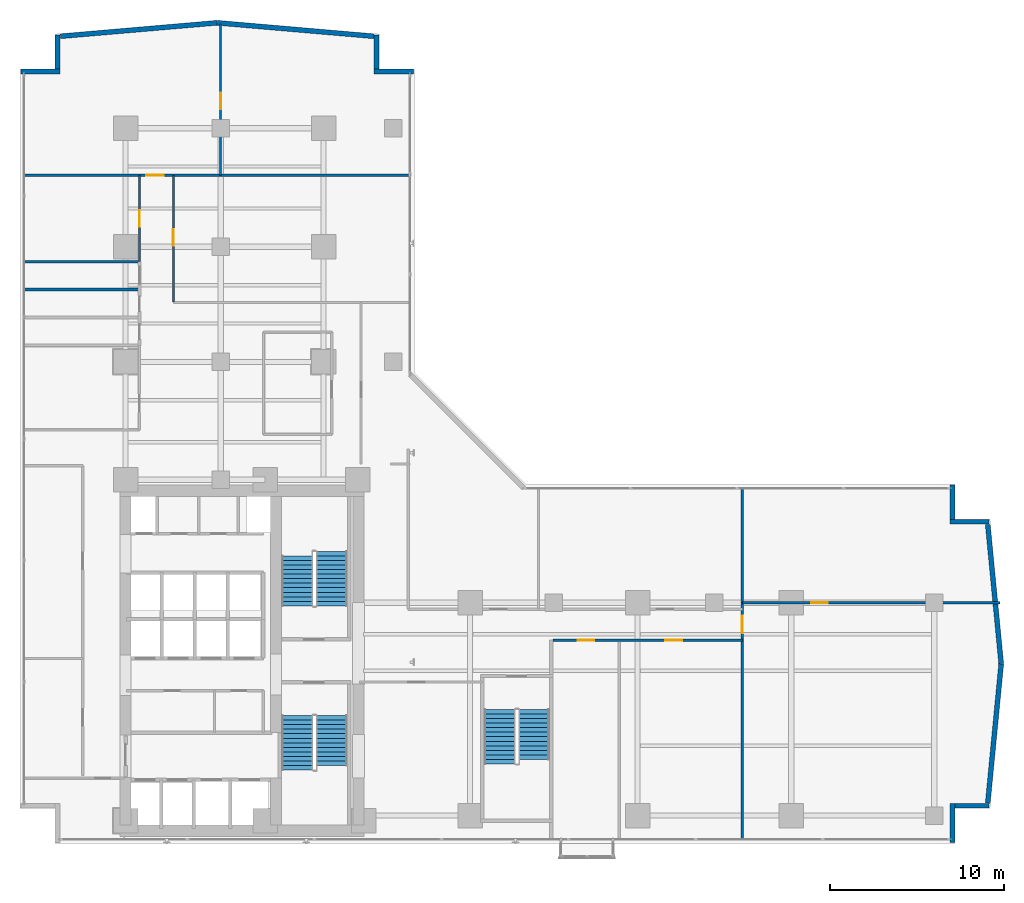
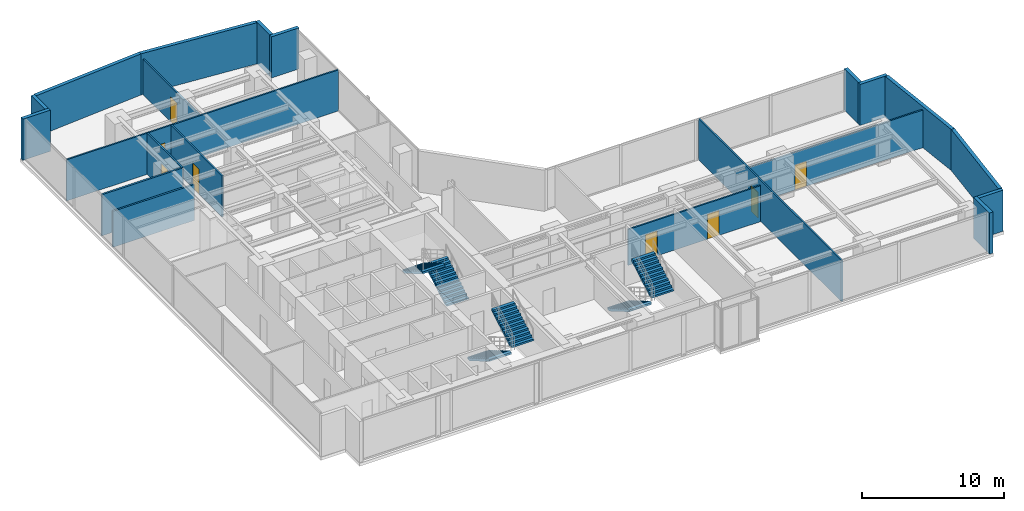
# One storey, part 23 of 29: 21 walls, 8 doors, 6 stair flights, 8 openings, 3 elements without a shape of their own.
"""IFC4 building model written with IfcOpenShell, lengths in metres."""

import ifcopenshell
import ifcopenshell.guid

model = None  # the IFC model being written
_history = None  # IfcOwnerHistory: only IFC2X3 demands one
_inside = {}  # id of a spatial element -> (the spatial element, [elements in it])
_under = {}  # id of a project, library or spatial element -> (it, [spatial elements below it])
_declared = {}  # id of a project -> (the project, [libraries it declares])
_typed = {}  # id of a type object -> (the type object, [elements of that type])
_made_of = {}  # id of a material, layer set ... -> (it, [elements and type objects made of it])


def new_model(schema):
    """Start an empty IFC model of exactly this schema.

    Asked for "IFC4X3", IfcOpenShell would pick the latest addendum, in which some entities
    have other attributes; the version numbers below select the first issue.
    IFC2X3 requires an IfcOwnerHistory on every rooted entity: one is made here for all.
    """
    global model, _history
    if schema == "IFC4X3":
        model = ifcopenshell.file(schema_version=(4, 3, 0, 0))
    else:
        model = ifcopenshell.file(schema=schema)
    _inside.clear()
    _under.clear()
    _declared.clear()
    _typed.clear()
    _made_of.clear()
    _history = None
    if model.schema == "IFC2X3":
        org = make("IfcOrganization", Name="unknown")
        user = make(
            "IfcPersonAndOrganization",
            ThePerson=make("IfcPerson", FamilyName="unknown"),
            TheOrganization=org,
        )
        app = make(
            "IfcApplication",
            ApplicationDeveloper=org,
            Version="unknown",
            ApplicationFullName="unknown",
            ApplicationIdentifier="unknown",
        )
        _history = make(
            "IfcOwnerHistory",
            OwningUser=user,
            OwningApplication=app,
            ChangeAction="ADDED",
            CreationDate=0,
        )
    return model


def make(cls, **values):
    """One entity of the class cls with the attributes given. An attribute that is None is left unset."""
    return model.create_entity(
        cls, **{name: value for name, value in values.items() if value is not None}
    )


def rooted(cls, **values):
    """An entity with a GlobalId (a new one), such as an element, a storey or a relation."""
    return make(cls, GlobalId=ifcopenshell.guid.new(), OwnerHistory=_history, **values)


def si_unit(unit_type, name, prefix=None):
    """IfcSIUnit, for example si_unit("LENGTHUNIT", "METRE", prefix="MILLI")."""
    return make("IfcSIUnit", UnitType=unit_type, Prefix=prefix, Name=name)


def assignment(units):
    """IfcUnitAssignment: the units of a project."""
    return None if units is None else make("IfcUnitAssignment", Units=units)


def point(xyz):
    """IfcCartesianPoint."""
    return None if xyz is None else make("IfcCartesianPoint", Coordinates=xyz)


def direction(xyz):
    """IfcDirection."""
    return None if xyz is None else make("IfcDirection", DirectionRatios=xyz)


def frame(location, z_axis=None, x_axis=None):
    """IfcAxis2Placement3D, a coordinate frame: its origin and axes. An axis left out is left unset."""
    return make(
        "IfcAxis2Placement3D",
        Location=point(location),
        Axis=direction(z_axis),
        RefDirection=direction(x_axis),
    )


def frame_2d(location, x_axis=None):
    """IfcAxis2Placement2D, a coordinate frame in the plane: its origin and x axis."""
    return make(
        "IfcAxis2Placement2D", Location=point(location), RefDirection=direction(x_axis)
    )


def origin():
    """The frame at (0, 0, 0) with its axes left unset."""
    return frame((0.0, 0.0, 0.0))


def place(relative_to, where):
    """IfcLocalPlacement: puts the frame where relative to a parent placement (None: the world)."""
    return make(
        "IfcLocalPlacement", PlacementRelTo=relative_to, RelativePlacement=where
    )


def context(
    kind, dimensions, precision=None, world=None, true_north=None, identifier=None
):
    """IfcGeometricRepresentationContext, for example the 3D "Model" context."""
    return make(
        "IfcGeometricRepresentationContext",
        ContextIdentifier=identifier,
        ContextType=kind,
        CoordinateSpaceDimension=dimensions,
        Precision=precision,
        WorldCoordinateSystem=world,
        TrueNorth=true_north,
    )


def subcontext(parent, identifier, kind, view, scale=None):
    """IfcGeometricRepresentationSubContext, for example "Body" below "Model"."""
    return make(
        "IfcGeometricRepresentationSubContext",
        ContextIdentifier=identifier,
        ContextType=kind,
        ParentContext=parent,
        TargetScale=scale,
        TargetView=view,
    )


def project(units=None, contexts=None):
    """IfcProject with its units and contexts."""
    return rooted(
        "IfcProject",
        Name="project",
        RepresentationContexts=contexts,
        UnitsInContext=assignment(units),
    )


def spatial(cls, under=None, at=None, **own):
    """A site, building, storey or space (cls), placed at a placement, below another one or the project."""
    s = rooted(cls, ObjectPlacement=at, **own)
    if under is not None:
        _under.setdefault(under.id(), (under, []))[1].append(s)
    return s


def polyline(points):
    """IfcPolyline through the points."""
    return make("IfcPolyline", Points=[point(p) for p in points])


def profile(cls, at=None, kind="AREA", **sizes):
    """A parametric profile (cls). Its sizes go by their IFC names, for example OverallWidth=200.0."""
    return make(cls, ProfileType=kind, Position=at, **sizes)


def rectangle(**sizes):
    """IfcRectangleProfileDef."""
    return profile("IfcRectangleProfileDef", **sizes)


def outline(outer, holes=None, kind="AREA"):
    """IfcArbitraryClosedProfileDef: a profile drawn as a closed curve; with holes, ...WithVoids."""
    if holes is None:
        return make("IfcArbitraryClosedProfileDef", ProfileType=kind, OuterCurve=outer)
    return make(
        "IfcArbitraryProfileDefWithVoids",
        ProfileType=kind,
        OuterCurve=outer,
        InnerCurves=holes,
    )


def extrude(swept, where, along, depth):
    """IfcExtrudedAreaSolid: the profile swept, set in the frame where, extruded along a direction by depth."""
    return make(
        "IfcExtrudedAreaSolid",
        SweptArea=swept,
        Position=where,
        ExtrudedDirection=direction(along),
        Depth=depth,
    )


def shape(context_of_items, identifier, shape_type, items):
    """IfcShapeRepresentation: the items that make up one representation, for example the "Body"."""
    return make(
        "IfcShapeRepresentation",
        ContextOfItems=context_of_items,
        RepresentationIdentifier=identifier,
        RepresentationType=shape_type,
        Items=items,
    )


def material(Name=None, Category=None):
    """IfcMaterial."""
    return make("IfcMaterial", Name=Name, Category=Category)


def layer(
    of_material, thickness, ventilated=None, Name=None, Category=None, Priority=None
):
    """IfcMaterialLayer: one layer of a wall or slab, of a material (None: an air gap)."""
    return make(
        "IfcMaterialLayer",
        Material=of_material,
        LayerThickness=thickness,
        IsVentilated=ventilated,
        Name=Name,
        Category=Category,
        Priority=Priority,
    )


def layer_set(layers, Name=None):
    """IfcMaterialLayerSet."""
    return make("IfcMaterialLayerSet", MaterialLayers=layers, LayerSetName=Name)


def made_of(thing, what):
    """Note that an element or type object is made of a material, layer set ...; save() writes the relation."""
    if what is not None:
        _made_of.setdefault(what.id(), (what, []))[1].append(thing)
    return thing


def type_object(cls, material=None, **own):
    """A type object (cls), such as IfcWallType, which elements share."""
    return made_of(rooted(cls, **own), material)


def element(
    cls,
    number,
    at=None,
    inside=None,
    cuts=None,
    type_object=None,
    material=None,
    context=None,
    identifier="Body",
    shape_type=None,
    held_by="IfcProductDefinitionShape",
    body=None,
    shapes=None,
    **own,
):
    """One element of the class cls, such as IfcWall. Its Tag is "e" and its number.

    at: its placement. inside: the storey or other place that contains it. cuts: it is an
    opening in that element (IfcRelVoidsElement). A single representation is given by context,
    identifier, shape_type and body (its items); several are given by shapes. held_by: the class
    of the entity that holds the representations. save() writes the other relations.
    """
    e = rooted(cls, Tag="e%d" % number, ObjectPlacement=at, **own)
    if body is not None:
        shapes = [shape(context, identifier, shape_type, body)]
    if shapes is not None:
        e.Representation = make(held_by, Representations=shapes)
    if inside is not None:
        _inside.setdefault(inside.id(), (inside, []))[1].append(e)
    if cuts is not None:
        rooted(
            "IfcRelVoidsElement", RelatingBuildingElement=cuts, RelatedOpeningElement=e
        )
    if type_object is not None:
        _typed.setdefault(type_object.id(), (type_object, []))[1].append(e)
    return made_of(e, material)


def fill(opening, filler):
    """IfcRelFillsElement: the door or window that sits in an opening."""
    return rooted(
        "IfcRelFillsElement",
        RelatingOpeningElement=opening,
        RelatedBuildingElement=filler,
    )


def aggregate(whole, parts):
    """IfcRelAggregates: a whole, such as a stair, and the parts it consists of."""
    return rooted("IfcRelAggregates", RelatingObject=whole, RelatedObjects=parts)


def save(model, path):
    """Write the relations noted so far, then the file.

    IfcRelAggregates (storeys below a building ...), IfcRelContainedInSpatialStructure (elements
    in a storey), IfcRelDefinesByType, IfcRelAssociatesMaterial and IfcRelDeclares: one each for
    every whole, place, type object, material and project.
    """
    for whole, parts in _under.values():
        aggregate(whole, parts)
    for where, things in _inside.values():
        rooted(
            "IfcRelContainedInSpatialStructure",
            RelatedElements=things,
            RelatingStructure=where,
        )
    for kind, things in _typed.values():
        rooted("IfcRelDefinesByType", RelatedObjects=things, RelatingType=kind)
    for what, things in _made_of.values():
        rooted("IfcRelAssociatesMaterial", RelatedObjects=things, RelatingMaterial=what)
    for by, libraries in _declared.values():
        rooted("IfcRelDeclares", RelatingContext=by, RelatedDefinitions=libraries)
    model.write(path)


model = new_model("IFC4")

# Units and contexts
model_context = context("Model", 3, precision=1e-05, world=origin(), true_north=direction((0.0, 1.0)))
body_context = subcontext(model_context, "Body", "Model", "MODEL_VIEW")
ifc_project = project(units=[si_unit("LENGTHUNIT", "METRE"), si_unit("AREAUNIT", "SQUARE_METRE"), si_unit("VOLUMEUNIT", "CUBIC_METRE"), si_unit("PLANEANGLEUNIT", "RADIAN"), si_unit("MASSUNIT", "GRAM", prefix="KILO")], contexts=[model_context])

# Site, building, storey
site_placement = place(None, origin())
site = spatial("IfcSite", under=ifc_project, at=site_placement, CompositionType="ELEMENT")
building_placement = place(site_placement, origin())
building = spatial("IfcBuilding", under=site, at=building_placement, Name="Kolvaren Waterfront Exchange", CompositionType="ELEMENT")
storey_placement = place(building_placement, frame((0.0, 0.0, 129.699951171875)))
storey = spatial("IfcBuildingStorey", under=building, at=storey_placement, Name="L33", CompositionType="ELEMENT", Elevation=129.699951171875)

# Walls
ifc_material_1 = material(Name="Precast concrete C40/50", Category="concrete")
ifc_layer_1 = layer(ifc_material_1, 0.280029296875, Name="Precast concrete C40/50")
ifc_layer_set_1 = layer_set([ifc_layer_1], Name="Precast concrete C40/50")
wall_type_1 = type_object("IfcWallType", Name="ARC-EXT-TERR-280", PredefinedType="SOLIDWALL", material=ifc_layer_set_1)
wall_1_placement = place(storey_placement, frame((54.840087890625, 3.659912109375, 0.0), z_axis=(0.0, 0.0, 1.0), x_axis=(0.0, 1.0, 0.0)))
element("IfcWall", 1, at=wall_1_placement, inside=storey, type_object=wall_type_1, Name="L33 notched corner spandrel pier SE-A", PredefinedType="SOLIDWALL", context=body_context, shape_type="SweptSolid", body=[
    extrude(rectangle(XDim=2.239990234375, YDim=0.280029296875, at=frame_2d((1.1201171875, 0.0))), origin(), (0.0, 0.0, 1.0), 3.5400390625),
])
wall_2_placement = place(storey_placement, frame((54.97998046875, 5.760009765625, 0.0), z_axis=(0.0, 0.0, 1.0), x_axis=(1.0, 0.0, 0.0)))
element("IfcWall", 2, at=wall_2_placement, inside=storey, type_object=wall_type_1, Name="L33 notched corner spandrel pier SE-B", PredefinedType="SOLIDWALL", context=body_context, shape_type="SweptSolid", body=[
    extrude(rectangle(XDim=1.9599609375, YDim=0.280029296875, at=frame_2d((0.97998046875, 0.0))), origin(), (0.0, 0.0, 1.0), 3.5400390625),
])
wall_3_placement = place(storey_placement, frame((54.840087890625, 22.1650390625, 0.0), z_axis=(0.0, 0.0, 1.0), x_axis=(0.0, 1.0, 0.0)))
element("IfcWall", 3, at=wall_3_placement, inside=storey, type_object=wall_type_1, Name="L33 notched corner spandrel pier ENE-A", PredefinedType="SOLIDWALL", context=body_context, shape_type="SweptSolid", body=[
    extrude(rectangle(XDim=1.974853515625, YDim=0.280029296875, at=frame_2d((0.9873046875, 0.0))), origin(), (0.0, 0.0, 1.0), 3.5400390625),
])
for number, where, z_axis, x_axis, name in (
    (4, (54.699951171875, 22.0400390625, 0.0), (0.0, 0.0, 1.0), (1.0, 0.0, 0.0), "L33 notched corner spandrel pier ENE-B"),
    (5, (21.699951171875, 47.840087890625, 0.0), (0.0, 0.0, 1.0), (1.0, 0.0, 0.0), "L33 notched corner spandrel pier NNE-A"),
):
    element("IfcWall", number, at=place(storey_placement, frame(where, z_axis=z_axis, x_axis=x_axis)), inside=storey, type_object=wall_type_1, Name=name, PredefinedType="SOLIDWALL", context=body_context, shape_type="SweptSolid", body=[
        extrude(rectangle(XDim=2.239990234375, YDim=0.280029296875, at=frame_2d((1.1201171875, 0.0))), origin(), (0.0, 0.0, 1.0), 3.5400390625),
    ])
wall_4_placement = place(storey_placement, frame((21.840087890625, 47.97998046875, 0.0), z_axis=(0.0, 0.0, 1.0), x_axis=(0.0, 1.0, 0.0)))
element("IfcWall", 6, at=wall_4_placement, inside=storey, type_object=wall_type_1, Name="L33 notched corner spandrel pier NNE-B", PredefinedType="SOLIDWALL", context=body_context, shape_type="SweptSolid", body=[
    extrude(rectangle(XDim=1.9599609375, YDim=0.280029296875, at=frame_2d((0.97998046875, 0.0))), origin(), (0.0, 0.0, 1.0), 3.5400390625),
])
wall_5_placement = place(storey_placement, frame((1.4599609375, 47.840087890625, 0.0), z_axis=(0.0, 0.0, 1.0), x_axis=(1.0, 0.0, 0.0)))
element("IfcWall", 7, at=wall_5_placement, inside=storey, type_object=wall_type_1, Name="L33 notched corner spandrel pier NW-A", PredefinedType="SOLIDWALL", context=body_context, shape_type="SweptSolid", body=[
    extrude(rectangle(XDim=2.239990234375, YDim=0.280029296875, at=frame_2d((1.1201171875, 0.0))), origin(), (0.0, 0.0, 1.0), 3.5400390625),
])
wall_6_placement = place(storey_placement, frame((3.56005859375, 47.97998046875, 0.0), z_axis=(0.0, 0.0, 1.0), x_axis=(0.0, 1.0, 0.0)))
element("IfcWall", 8, at=wall_6_placement, inside=storey, type_object=wall_type_1, Name="L33 notched corner spandrel pier NW-B", PredefinedType="SOLIDWALL", context=body_context, shape_type="SweptSolid", body=[
    extrude(rectangle(XDim=1.9599609375, YDim=0.280029296875, at=frame_2d((0.97998046875, 0.0))), origin(), (0.0, 0.0, 1.0), 3.5400390625),
])
for number, where, z_axis, x_axis, name in (
    (9, (56.869384765625, 5.9140625, 0.0), (0.0, 0.0, 1.0), (0.095969995245, 0.995384227328, 0.0), "L33 east prow faceted facade wall 1"),
    (10, (57.638916015625, 13.904541015625, 0.0), (0.0, 0.0, 1.0), (-0.095969995245, 0.995384227328, 0.0), "L33 east prow faceted facade wall 2"),
):
    element("IfcWall", number, at=place(storey_placement, frame(where, z_axis=z_axis, x_axis=x_axis)), inside=storey, type_object=wall_type_1, Name=name, PredefinedType="SOLIDWALL", context=body_context, shape_type="SweptSolid", body=[
        extrude(rectangle(XDim=8.0185546875, YDim=0.280029296875, at=frame_2d((4.00927734375, 0.0))), origin(), (0.0, 0.0, 1.0), 3.5400390625),
    ])
for number, where, z_axis, x_axis, name in (
    (11, (21.6875, 49.8662109375, 0.0), (0.0, 0.0, 1.0), (-0.996319339243, 0.085719159179, 0.0), "L33 north prow faceted facade wall 1"),
    (12, (12.69384765625, 50.638916015625, 0.0), (0.0, 0.0, 1.0), (-0.996319339243, -0.085719159179, 0.0), "L33 north prow faceted facade wall 2"),
):
    element("IfcWall", number, at=place(storey_placement, frame(where, z_axis=z_axis, x_axis=x_axis)), inside=storey, type_object=wall_type_1, Name=name, PredefinedType="SOLIDWALL", context=body_context, shape_type="SweptSolid", body=[
        extrude(rectangle(XDim=9.014404296875, YDim=0.280029296875, at=frame_2d((4.50732421875, 0.0))), origin(), (0.0, 0.0, 1.0), 3.5400390625),
    ])

# Wall, openings, doors
ifc_material_2 = material(Name="Acoustic gypsum steel stud", Category="steel")
ifc_layer_2 = layer(ifc_material_2, 0.125, Name="Acoustic gypsum steel stud")
ifc_layer_set_2 = layer_set([ifc_layer_2], Name="Acoustic gypsum steel stud")
wall_type_2 = type_object("IfcWallType", Name="ARC-PART-125", PredefinedType="PARTITIONING", material=ifc_layer_set_2)
wall_7_placement = place(storey_placement, frame((31.949951171875, 15.25, 0.0), z_axis=(0.0, 0.0, 1.0), x_axis=(1.0, 0.0, 0.0)))
wall_7 = element("IfcWall", 13, at=wall_7_placement, inside=storey, type_object=wall_type_2, Name="L33 interior wall PW-L33-ES-CORR", PredefinedType="PARTITIONING", context=body_context, shape_type="SweptSolid", body=[
    extrude(rectangle(XDim=10.85009765625, YDim=0.125, at=frame_2d((5.425048828125, 0.0))), origin(), (0.0, 0.0, 1.0), 3.090087890625),
])
opening_1_placement = place(wall_7_placement, frame((1.425048828125, 0.0, 0.0)))
opening_1 = element("IfcOpeningElement", 14, at=opening_1_placement, cuts=wall_7, Name="Opening D02", PredefinedType="OPENING", context=body_context, shape_type="SweptSolid", body=[
    extrude(rectangle(XDim=0.949951171875, YDim=2.14990234375, at=frame_2d((0.47509765625, 1.074951171875))), frame((0.0, 0.072509765625, 0.0), z_axis=(0.0, -1.0, 0.0), x_axis=(1.0, 0.0, 0.0)), (0.0, 0.0, 1.0), 0.14501953125),
])
opening_2_placement = place(wall_7_placement, frame((6.4453125, 0.0, 0.0)))
opening_2 = element("IfcOpeningElement", 15, at=opening_2_placement, cuts=wall_7, Name="Opening D02", PredefinedType="OPENING", context=body_context, shape_type="SweptSolid", body=[
    extrude(rectangle(XDim=0.949951171875, YDim=2.14990234375, at=frame_2d((0.47509765625, 1.074951171875))), frame((0.0, 0.072509765625, 0.0), z_axis=(0.0, -1.0, 0.0), x_axis=(1.0, 0.0, 0.0)), (0.0, 0.0, 1.0), 0.14501953125),
])
ifc_material_3 = material(Name="Oak veneer acoustic timber", Category="wood")
door_type_1 = type_object("IfcDoorType", Name="ARC-DR-950", OperationType="NOTDEFINED", PredefinedType="DOOR", material=ifc_material_3)
door_1_placement = place(opening_1_placement, origin())
door_1 = element("IfcDoor", 16, at=door_1_placement, inside=storey, type_object=door_type_1, Name="L33 door DR-L33-ES-D-1 (D02)", OperationType="SINGLE_SWING_RIGHT", OverallHeight=2.14990234375, OverallWidth=0.949951171875, PredefinedType="DOOR", context=body_context, shape_type="SweptSolid", body=[
    extrude(rectangle(XDim=0.949951171875, YDim=2.14990234375, at=frame_2d((0.47509765625, 1.074951171875))), frame((0.0, 0.02490234375, 0.0), z_axis=(0.0, -1.0, 0.0), x_axis=(1.0, 0.0, 0.0)), (0.0, 0.0, 1.0), 0.050048828125),
])
fill(opening_1, door_1)
door_2_placement = place(opening_2_placement, origin())
door_2 = element("IfcDoor", 17, at=door_2_placement, inside=storey, type_object=door_type_1, Name="L33 door DR-L33-ES-D-2 (D02)", OperationType="SINGLE_SWING_LEFT", OverallHeight=2.14990234375, OverallWidth=0.949951171875, PredefinedType="DOOR", context=body_context, shape_type="SweptSolid", body=[
    extrude(rectangle(XDim=0.949951171875, YDim=2.14990234375, at=frame_2d((0.47509765625, 1.074951171875))), frame((0.0, 0.02490234375, 0.0), z_axis=(0.0, -1.0, 0.0), x_axis=(1.0, 0.0, 0.0)), (0.0, 0.0, 1.0), 0.050048828125),
])
fill(opening_2, door_2)

# Wall, opening, door
wall_8_placement = place(storey_placement, frame((42.800048828125, 3.840087890625, 0.0), z_axis=(0.0, 0.0, 1.0), x_axis=(0.0, 1.0, 0.0)))
wall_8 = element("IfcWall", 18, at=wall_8_placement, inside=storey, type_object=wall_type_2, Name="L33 interior wall PW-L33-ETIP-W", PredefinedType="PARTITIONING", context=body_context, shape_type="SweptSolid", body=[
    extrude(rectangle(XDim=20.119873046875, YDim=0.125, at=frame_2d((10.06005859375, 0.0))), origin(), (0.0, 0.0, 1.0), 3.5400390625),
])
opening_3_placement = place(wall_8_placement, frame((11.800048828125, 0.0, 0.0)))
opening_3 = element("IfcOpeningElement", 19, at=opening_3_placement, cuts=wall_8, Name="Opening D03", PredefinedType="OPENING", context=body_context, shape_type="SweptSolid", body=[
    extrude(rectangle(XDim=1.0, YDim=2.199951171875, at=frame_2d((0.5, 1.10009765625))), frame((0.0, 0.072509765625, 0.0), z_axis=(0.0, -1.0, 0.0), x_axis=(1.0, 0.0, 0.0)), (0.0, 0.0, 1.0), 0.14501953125),
])
ifc_material_4 = material(Name="Oak veneer accessible timber", Category="wood")
door_type_2 = type_object("IfcDoorType", Name="ARC-DR-1000", OperationType="NOTDEFINED", PredefinedType="DOOR", material=ifc_material_4)
door_3_placement = place(opening_3_placement, origin())
door_3 = element("IfcDoor", 20, at=door_3_placement, inside=storey, type_object=door_type_2, Name="L33 door DR-L33-ETIP1-D (D03)", OperationType="SINGLE_SWING_RIGHT", OverallHeight=2.199951171875, OverallWidth=1.0, PredefinedType="DOOR", context=body_context, shape_type="SweptSolid", body=[
    extrude(rectangle(XDim=1.0, YDim=2.199951171875, at=frame_2d((0.5, 1.10009765625))), frame((0.0, 0.02490234375, 0.0), z_axis=(0.0, -1.0, 0.0), x_axis=(1.0, 0.0, 0.0)), (0.0, 0.0, 1.0), 0.050048828125),
])
fill(opening_3, door_3)

wall_9_placement = place(storey_placement, frame((42.800048828125, 17.39990234375, 0.0), z_axis=(0.0, 0.0, 1.0), x_axis=(1.0, 0.0, 0.0)))
wall_9 = element("IfcWall", 21, at=wall_9_placement, inside=storey, type_object=wall_type_2, Name="L33 interior wall PW-L33-ETIP-MID", PredefinedType="PARTITIONING", context=body_context, shape_type="SweptSolid", body=[
    extrude(rectangle(XDim=14.760009765625, YDim=0.125, at=frame_2d((7.3798828125, 0.0))), origin(), (0.0, 0.0, 1.0), 3.239990234375),
])
opening_4_placement = place(wall_9_placement, frame((3.956298828125, 0.0, 0.0)))
opening_4 = element("IfcOpeningElement", 22, at=opening_4_placement, cuts=wall_9, Name="Opening D02", PredefinedType="OPENING", context=body_context, shape_type="SweptSolid", body=[
    extrude(rectangle(XDim=0.949951171875, YDim=2.14990234375, at=frame_2d((0.47509765625, 1.074951171875))), frame((0.0, 0.072509765625, 0.0), z_axis=(0.0, -1.0, 0.0), x_axis=(1.0, 0.0, 0.0)), (0.0, 0.0, 1.0), 0.14501953125),
])
door_4_placement = place(opening_4_placement, origin())
door_4 = element("IfcDoor", 23, at=door_4_placement, inside=storey, type_object=door_type_1, Name="L33 door DR-L33-ETIP2-D (D02)", OperationType="SINGLE_SWING_LEFT", OverallHeight=2.14990234375, OverallWidth=0.949951171875, PredefinedType="DOOR", context=body_context, shape_type="SweptSolid", body=[
    extrude(rectangle(XDim=0.949951171875, YDim=2.14990234375, at=frame_2d((0.47509765625, 1.074951171875))), frame((0.0, 0.02490234375, 0.0), z_axis=(0.0, -1.0, 0.0), x_axis=(1.0, 0.0, 0.0)), (0.0, 0.0, 1.0), 0.050048828125),
])
fill(opening_4, door_4)

wall_10_placement = place(storey_placement, frame((8.25, 36.949951171875, 0.0), z_axis=(0.0, 0.0, 1.0), x_axis=(0.0, 1.0, 0.0)))
wall_10 = element("IfcWall", 24, at=wall_10_placement, inside=storey, type_object=wall_type_2, Name="L33 interior wall PW-L33-NW-CORR", PredefinedType="PARTITIONING", context=body_context, shape_type="SweptSolid", body=[
    extrude(rectangle(XDim=4.949951171875, YDim=0.125, at=frame_2d((2.47509765625, 0.0))), origin(), (0.0, 0.0, 1.0), 3.5400390625),
])
opening_5_placement = place(wall_10_placement, frame((2.0, 0.0, 0.0)))
opening_5 = element("IfcOpeningElement", 25, at=opening_5_placement, cuts=wall_10, Name="Opening D02", PredefinedType="OPENING", context=body_context, shape_type="SweptSolid", body=[
    extrude(rectangle(XDim=0.949951171875, YDim=2.14990234375, at=frame_2d((0.47509765625, 1.074951171875))), frame((0.0, 0.072509765625, 0.0), z_axis=(0.0, -1.0, 0.0), x_axis=(1.0, 0.0, 0.0)), (0.0, 0.0, 1.0), 0.14501953125),
])
door_5_placement = place(opening_5_placement, origin())
door_5 = element("IfcDoor", 26, at=door_5_placement, inside=storey, type_object=door_type_1, Name="L33 door DR-L33-NW-D-1 (D02)", OperationType="SINGLE_SWING_RIGHT", OverallHeight=2.14990234375, OverallWidth=0.949951171875, PredefinedType="DOOR", context=body_context, shape_type="SweptSolid", body=[
    extrude(rectangle(XDim=0.949951171875, YDim=2.14990234375, at=frame_2d((0.47509765625, 1.074951171875))), frame((0.0, 0.02490234375, 0.0), z_axis=(0.0, -1.0, 0.0), x_axis=(1.0, 0.0, 0.0)), (0.0, 0.0, 1.0), 0.050048828125),
])
fill(opening_5, door_5)

wall_11_placement = place(storey_placement, frame((1.639892578125, 41.89990234375, 0.0), z_axis=(0.0, 0.0, 1.0), x_axis=(1.0, 0.0, 0.0)))
wall_11 = element("IfcWall", 27, at=wall_11_placement, inside=storey, type_object=wall_type_2, Name="L33 interior wall PW-L33-NTIP-S", PredefinedType="PARTITIONING", context=body_context, shape_type="SweptSolid", body=[
    extrude(rectangle(XDim=22.1201171875, YDim=0.125, at=frame_2d((11.06005859375, 0.0))), origin(), (0.0, 0.0, 1.0), 3.5400390625),
])
opening_6_placement = place(wall_11_placement, frame((7.010009765625, 0.0, 0.0)))
opening_6 = element("IfcOpeningElement", 28, at=opening_6_placement, cuts=wall_11, Name="Opening D03", PredefinedType="OPENING", context=body_context, shape_type="SweptSolid", body=[
    extrude(rectangle(XDim=1.0, YDim=2.199951171875, at=frame_2d((0.5, 1.10009765625))), frame((0.0, 0.072509765625, 0.0), z_axis=(0.0, -1.0, 0.0), x_axis=(1.0, 0.0, 0.0)), (0.0, 0.0, 1.0), 0.14501953125),
])
door_6_placement = place(opening_6_placement, origin())
door_6 = element("IfcDoor", 29, at=door_6_placement, inside=storey, type_object=door_type_2, Name="L33 door DR-L33-NTIPW-D (D03)", OperationType="SINGLE_SWING_LEFT", OverallHeight=2.199951171875, OverallWidth=1.0, PredefinedType="DOOR", context=body_context, shape_type="SweptSolid", body=[
    extrude(rectangle(XDim=1.0, YDim=2.199951171875, at=frame_2d((0.5, 1.10009765625))), frame((0.0, 0.02490234375, 0.0), z_axis=(0.0, -1.0, 0.0), x_axis=(1.0, 0.0, 0.0)), (0.0, 0.0, 1.0), 0.050048828125),
])
fill(opening_6, door_6)

wall_12_placement = place(storey_placement, frame((12.89990234375, 41.89990234375, 0.0), z_axis=(0.0, 0.0, 1.0), x_axis=(0.0, 1.0, 0.0)))
wall_12 = element("IfcWall", 30, at=wall_12_placement, inside=storey, type_object=wall_type_2, Name="L33 interior wall PW-L33-NTIP-DIV", PredefinedType="PARTITIONING", context=body_context, shape_type="SweptSolid", body=[
    extrude(rectangle(XDim=8.66015625, YDim=0.125, at=frame_2d((4.330078125, 0.0))), origin(), (0.0, 0.0, 1.0), 3.0400390625),
])
opening_7_placement = place(wall_12_placement, frame((3.77880859375, 0.0, 0.0)))
opening_7 = element("IfcOpeningElement", 31, at=opening_7_placement, cuts=wall_12, Name="Opening D02", PredefinedType="OPENING", context=body_context, shape_type="SweptSolid", body=[
    extrude(rectangle(XDim=0.949951171875, YDim=2.14990234375, at=frame_2d((0.47509765625, 1.074951171875))), frame((0.0, 0.072509765625, 0.0), z_axis=(0.0, -1.0, 0.0), x_axis=(1.0, 0.0, 0.0)), (0.0, 0.0, 1.0), 0.14501953125),
])
door_7_placement = place(opening_7_placement, origin())
door_7 = element("IfcDoor", 32, at=door_7_placement, inside=storey, type_object=door_type_1, Name="L33 door DR-L33-NTIPE-D (D02)", OperationType="SINGLE_SWING_RIGHT", OverallHeight=2.14990234375, OverallWidth=0.949951171875, PredefinedType="DOOR", context=body_context, shape_type="SweptSolid", body=[
    extrude(rectangle(XDim=0.949951171875, YDim=2.14990234375, at=frame_2d((0.47509765625, 1.074951171875))), frame((0.0, 0.02490234375, 0.0), z_axis=(0.0, -1.0, 0.0), x_axis=(1.0, 0.0, 0.0)), (0.0, 0.0, 1.0), 0.050048828125),
])
fill(opening_7, door_7)

wall_13_placement = place(storey_placement, frame((10.18994140625, 34.64990234375, 0.0), z_axis=(0.0, 0.0, 1.0), x_axis=(0.0, 1.0, 0.0)))
wall_13 = element("IfcWall", 33, at=wall_13_placement, inside=storey, type_object=wall_type_2, Name="L33 interior wall PW-L33-NE-CORR", PredefinedType="PARTITIONING", context=body_context, shape_type="SweptSolid", body=[
    extrude(rectangle(XDim=7.25, YDim=0.125, at=frame_2d((3.625, 0.0))), origin(), (0.0, 0.0, 1.0), 3.5400390625),
])
opening_8_placement = place(wall_13_placement, frame((3.220458984375, 0.0, 0.0)))
opening_8 = element("IfcOpeningElement", 34, at=opening_8_placement, cuts=wall_13, Name="Opening D02", PredefinedType="OPENING", context=body_context, shape_type="SweptSolid", body=[
    extrude(rectangle(XDim=0.949951171875, YDim=2.14990234375, at=frame_2d((0.47509765625, 1.074951171875))), frame((0.0, 0.072509765625, 0.0), z_axis=(0.0, -1.0, 0.0), x_axis=(1.0, 0.0, 0.0)), (0.0, 0.0, 1.0), 0.14501953125),
])
door_8_placement = place(opening_8_placement, origin())
door_8 = element("IfcDoor", 35, at=door_8_placement, inside=storey, type_object=door_type_1, Name="L33 door DR-L33-NE-D-1 (D02)", OperationType="SINGLE_SWING_LEFT", OverallHeight=2.14990234375, OverallWidth=0.949951171875, PredefinedType="DOOR", context=body_context, shape_type="SweptSolid", body=[
    extrude(rectangle(XDim=0.949951171875, YDim=2.14990234375, at=frame_2d((0.47509765625, 1.074951171875))), frame((0.0, 0.02490234375, 0.0), z_axis=(0.0, -1.0, 0.0), x_axis=(1.0, 0.0, 0.0)), (0.0, 0.0, 1.0), 0.050048828125),
])
fill(opening_8, door_8)

# Walls
ifc_material_5 = material(Name="Moisture-resistant gypsum stud")
ifc_layer_3 = layer(ifc_material_5, 0.14990234375, Name="Moisture-resistant gypsum stud")
ifc_layer_set_3 = layer_set([ifc_layer_3], Name="Moisture-resistant gypsum stud")
wall_type_3 = type_object("IfcWallType", Name="ARC-PLUMB-150", PredefinedType="PLUMBINGWALL", material=ifc_layer_set_3)
wall_14_placement = place(storey_placement, frame((1.639892578125, 35.35009765625, 0.0), z_axis=(0.0, 0.0, 1.0), x_axis=(1.0, 0.0, 0.0)))
element("IfcWall", 36, at=wall_14_placement, inside=storey, type_object=wall_type_3, Name="L33 interior wall PW-L33-WC-2", PredefinedType="PLUMBINGWALL", context=body_context, shape_type="SweptSolid", body=[
    extrude(rectangle(XDim=6.610107421875, YDim=0.14990234375, at=frame_2d((3.30517578125, 0.0))), origin(), (0.0, 0.0, 1.0), 3.090087890625),
])
wall_15_placement = place(storey_placement, frame((1.639892578125, 36.949951171875, 0.0), z_axis=(0.0, 0.0, 1.0), x_axis=(1.0, 0.0, 0.0)))
element("IfcWall", 37, at=wall_15_placement, inside=storey, type_object=wall_type_3, Name="L33 interior wall PW-L33-WC-3", PredefinedType="PLUMBINGWALL", context=body_context, shape_type="SweptSolid", body=[
    extrude(rectangle(XDim=6.610107421875, YDim=0.14990234375, at=frame_2d((3.30517578125, 0.0))), origin(), (0.0, 0.0, 1.0), 3.5400390625),
])

# Stair, stair flights
ifc_material_6 = material(Name="Concrete C40/50", Category="concrete")
stair_type = type_object("IfcStairType", Name="ARC-STAIR-3800", PredefinedType="HALF_TURN_STAIR", material=ifc_material_6)
stair_1_placement = place(storey_placement, origin())
stair_1 = element("IfcStair", 38, at=stair_1_placement, inside=storey, type_object=stair_type, Name="L33 Smoke-proof exit stair ST1", PredefinedType="HALF_TURN_STAIR")
stair_flight_type = type_object("IfcStairFlightType", Name="ARC-FLIGHT-3800", PredefinedType="STRAIGHT", material=ifc_material_6)
stair_flight_1_placement = place(storey_placement, frame((17.300048828125, 10.929931640625, 0.0), z_axis=(0.0, 0.0, 1.0), x_axis=(0.0, -1.0, 0.0)))
stair_flight_1 = element("IfcStairFlight", 39, at=stair_flight_1_placement, type_object=stair_flight_type, Name="ST1 flight 1", NumberOfRisers=13, NumberOfTreads=12, PredefinedType="STRAIGHT", RiserHeight=0.152, TreadLength=0.26, context=body_context, shape_type="SweptSolid", body=[
    extrude(outline(polyline([(0.0, 0.0), (0.0, 0.152099609375), (0.260009765625, 0.152099609375), (0.260009765625, 0.303955078125), (0.52001953125, 0.303955078125), (0.52001953125, 0.4560546875), (0.780029296875, 0.4560546875), (0.780029296875, 0.60791015625), (1.0400390625, 0.60791015625), (1.0400390625, 0.760009765625), (1.300048828125, 0.760009765625), (1.300048828125, 0.912109375), (1.56005859375, 0.912109375), (1.56005859375, 1.06396484375), (1.820068359375, 1.06396484375), (1.820068359375, 1.216064453125), (2.080078125, 1.216064453125), (2.080078125, 1.367919921875), (2.340087890625, 1.367919921875), (2.340087890625, 1.52001953125), (2.60009765625, 1.52001953125), (2.60009765625, 1.672119140625), (2.860107421875, 1.672119140625), (2.860107421875, 1.823974609375), (3.1201171875, 1.823974609375), (3.1201171875, 1.97607421875), (3.1201171875, 1.650390625), (0.297119140625, 0.0), (0.0, 0.0)])), frame((0.0, 0.89990234375, 0.0), z_axis=(0.0, -1.0, 0.0), x_axis=(1.0, 0.0, 0.0)), (0.0, 0.0, 1.0), 1.800048828125),
])
stair_flight_2_placement = place(storey_placement, frame((19.260009765625, 8.070068359375, 1.97607421875), z_axis=(0.0, 0.0, 1.0), x_axis=(0.0, 1.0, 0.0)))
stair_flight_2 = element("IfcStairFlight", 40, at=stair_flight_2_placement, type_object=stair_flight_type, Name="ST1 flight 2", NumberOfRisers=12, NumberOfTreads=11, PredefinedType="STRAIGHT", RiserHeight=0.152, TreadLength=0.26, context=body_context, shape_type="SweptSolid", body=[
    extrude(outline(polyline([(0.0, 0.0), (0.0, 0.152099609375), (0.260009765625, 0.152099609375), (0.260009765625, 0.303955078125), (0.52001953125, 0.303955078125), (0.52001953125, 0.4560546875), (0.780029296875, 0.4560546875), (0.780029296875, 0.60791015625), (1.0400390625, 0.60791015625), (1.0400390625, 0.760009765625), (1.300048828125, 0.760009765625), (1.300048828125, 0.912109375), (1.56005859375, 0.912109375), (1.56005859375, 1.06396484375), (1.820068359375, 1.06396484375), (1.820068359375, 1.216064453125), (2.080078125, 1.216064453125), (2.080078125, 1.367919921875), (2.340087890625, 1.367919921875), (2.340087890625, 1.52001953125), (2.60009765625, 1.52001953125), (2.60009765625, 1.672119140625), (2.860107421875, 1.672119140625), (2.860107421875, 1.823974609375), (2.860107421875, 1.498291015625), (0.297119140625, 0.0), (0.0, 0.0)])), frame((0.0, 0.89990234375, 0.0), z_axis=(0.0, -1.0, 0.0), x_axis=(1.0, 0.0, 0.0)), (0.0, 0.0, 1.0), 1.800048828125),
])
aggregate(stair_1, [stair_flight_1, stair_flight_2])

stair_2_placement = place(storey_placement, origin())
stair_2 = element("IfcStair", 41, at=stair_2_placement, inside=storey, type_object=stair_type, Name="L33 Smoke-proof exit stair ST2", PredefinedType="HALF_TURN_STAIR")
stair_flight_3_placement = place(storey_placement, frame((19.260009765625, 17.219970703125, 0.0), z_axis=(0.0, 0.0, 1.0), x_axis=(0.0, 1.0, 0.0)))
stair_flight_3 = element("IfcStairFlight", 42, at=stair_flight_3_placement, type_object=stair_flight_type, Name="ST2 flight 1", NumberOfRisers=13, NumberOfTreads=12, PredefinedType="STRAIGHT", RiserHeight=0.152, TreadLength=0.26, context=body_context, shape_type="SweptSolid", body=[
    extrude(outline(polyline([(0.0, 0.0), (0.0, 0.152099609375), (0.260009765625, 0.152099609375), (0.260009765625, 0.303955078125), (0.52001953125, 0.303955078125), (0.52001953125, 0.4560546875), (0.780029296875, 0.4560546875), (0.780029296875, 0.60791015625), (1.0400390625, 0.60791015625), (1.0400390625, 0.760009765625), (1.300048828125, 0.760009765625), (1.300048828125, 0.912109375), (1.56005859375, 0.912109375), (1.56005859375, 1.06396484375), (1.820068359375, 1.06396484375), (1.820068359375, 1.216064453125), (2.080078125, 1.216064453125), (2.080078125, 1.367919921875), (2.340087890625, 1.367919921875), (2.340087890625, 1.52001953125), (2.60009765625, 1.52001953125), (2.60009765625, 1.672119140625), (2.860107421875, 1.672119140625), (2.860107421875, 1.823974609375), (3.1201171875, 1.823974609375), (3.1201171875, 1.97607421875), (3.1201171875, 1.650390625), (0.297119140625, 0.0), (0.0, 0.0)])), frame((0.0, 0.89990234375, 0.0), z_axis=(0.0, -1.0, 0.0), x_axis=(1.0, 0.0, 0.0)), (0.0, 0.0, 1.0), 1.800048828125),
])
stair_flight_4_placement = place(storey_placement, frame((17.300048828125, 20.080078125, 1.97607421875), z_axis=(0.0, 0.0, 1.0), x_axis=(0.0, -1.0, 0.0)))
stair_flight_4 = element("IfcStairFlight", 43, at=stair_flight_4_placement, type_object=stair_flight_type, Name="ST2 flight 2", NumberOfRisers=12, NumberOfTreads=11, PredefinedType="STRAIGHT", RiserHeight=0.152, TreadLength=0.26, context=body_context, shape_type="SweptSolid", body=[
    extrude(outline(polyline([(0.0, 0.0), (0.0, 0.152099609375), (0.260009765625, 0.152099609375), (0.260009765625, 0.303955078125), (0.52001953125, 0.303955078125), (0.52001953125, 0.4560546875), (0.780029296875, 0.4560546875), (0.780029296875, 0.60791015625), (1.0400390625, 0.60791015625), (1.0400390625, 0.760009765625), (1.300048828125, 0.760009765625), (1.300048828125, 0.912109375), (1.56005859375, 0.912109375), (1.56005859375, 1.06396484375), (1.820068359375, 1.06396484375), (1.820068359375, 1.216064453125), (2.080078125, 1.216064453125), (2.080078125, 1.367919921875), (2.340087890625, 1.367919921875), (2.340087890625, 1.52001953125), (2.60009765625, 1.52001953125), (2.60009765625, 1.672119140625), (2.860107421875, 1.672119140625), (2.860107421875, 1.823974609375), (2.860107421875, 1.498291015625), (0.297119140625, 0.0), (0.0, 0.0)])), frame((0.0, 0.89990234375, 0.0), z_axis=(0.0, -1.0, 0.0), x_axis=(1.0, 0.0, 0.0)), (0.0, 0.0, 1.0), 1.800048828125),
])
aggregate(stair_2, [stair_flight_3, stair_flight_4])

stair_3_placement = place(storey_placement, origin())
stair_3 = element("IfcStair", 44, at=stair_3_placement, inside=storey, type_object=stair_type, Name="L33 Exit stair ST3", PredefinedType="HALF_TURN_STAIR")
stair_flight_5_placement = place(storey_placement, frame((28.89990234375, 11.280029296875, 0.0), z_axis=(0.0, 0.0, 1.0), x_axis=(0.0, -1.0, 0.0)))
stair_flight_5 = element("IfcStairFlight", 45, at=stair_flight_5_placement, type_object=stair_flight_type, Name="ST3 flight 1", NumberOfRisers=13, NumberOfTreads=12, PredefinedType="STRAIGHT", RiserHeight=0.152, TreadLength=0.26, context=body_context, shape_type="SweptSolid", body=[
    extrude(outline(polyline([(0.0, 0.0), (0.0, 0.152099609375), (0.260009765625, 0.152099609375), (0.260009765625, 0.303955078125), (0.52001953125, 0.303955078125), (0.52001953125, 0.4560546875), (0.780029296875, 0.4560546875), (0.780029296875, 0.60791015625), (1.0400390625, 0.60791015625), (1.0400390625, 0.760009765625), (1.300048828125, 0.760009765625), (1.300048828125, 0.912109375), (1.56005859375, 0.912109375), (1.56005859375, 1.06396484375), (1.820068359375, 1.06396484375), (1.820068359375, 1.216064453125), (2.080078125, 1.216064453125), (2.080078125, 1.367919921875), (2.340087890625, 1.367919921875), (2.340087890625, 1.52001953125), (2.60009765625, 1.52001953125), (2.60009765625, 1.672119140625), (2.860107421875, 1.672119140625), (2.860107421875, 1.823974609375), (3.1201171875, 1.823974609375), (3.1201171875, 1.97607421875), (3.1201171875, 1.650390625), (0.297119140625, 0.0), (0.0, 0.0)])), frame((0.0, 0.89990234375, 0.0), z_axis=(0.0, -1.0, 0.0), x_axis=(1.0, 0.0, 0.0)), (0.0, 0.0, 1.0), 1.800048828125),
])
stair_flight_6_placement = place(storey_placement, frame((30.860107421875, 8.419921875, 1.97607421875), z_axis=(0.0, 0.0, 1.0), x_axis=(0.0, 1.0, 0.0)))
stair_flight_6 = element("IfcStairFlight", 46, at=stair_flight_6_placement, type_object=stair_flight_type, Name="ST3 flight 2", NumberOfRisers=12, NumberOfTreads=11, PredefinedType="STRAIGHT", RiserHeight=0.152, TreadLength=0.26, context=body_context, shape_type="SweptSolid", body=[
    extrude(outline(polyline([(0.0, 0.0), (0.0, 0.152099609375), (0.260009765625, 0.152099609375), (0.260009765625, 0.303955078125), (0.52001953125, 0.303955078125), (0.52001953125, 0.4560546875), (0.780029296875, 0.4560546875), (0.780029296875, 0.60791015625), (1.0400390625, 0.60791015625), (1.0400390625, 0.760009765625), (1.300048828125, 0.760009765625), (1.300048828125, 0.912109375), (1.56005859375, 0.912109375), (1.56005859375, 1.06396484375), (1.820068359375, 1.06396484375), (1.820068359375, 1.216064453125), (2.080078125, 1.216064453125), (2.080078125, 1.367919921875), (2.340087890625, 1.367919921875), (2.340087890625, 1.52001953125), (2.60009765625, 1.52001953125), (2.60009765625, 1.672119140625), (2.860107421875, 1.672119140625), (2.860107421875, 1.823974609375), (2.860107421875, 1.498291015625), (0.297119140625, 0.0), (0.0, 0.0)])), frame((0.0, 0.89990234375, 0.0), z_axis=(0.0, -1.0, 0.0), x_axis=(1.0, 0.0, 0.0)), (0.0, 0.0, 1.0), 1.800048828125),
])
aggregate(stair_3, [stair_flight_5, stair_flight_6])

save(model, "model.ifc")
